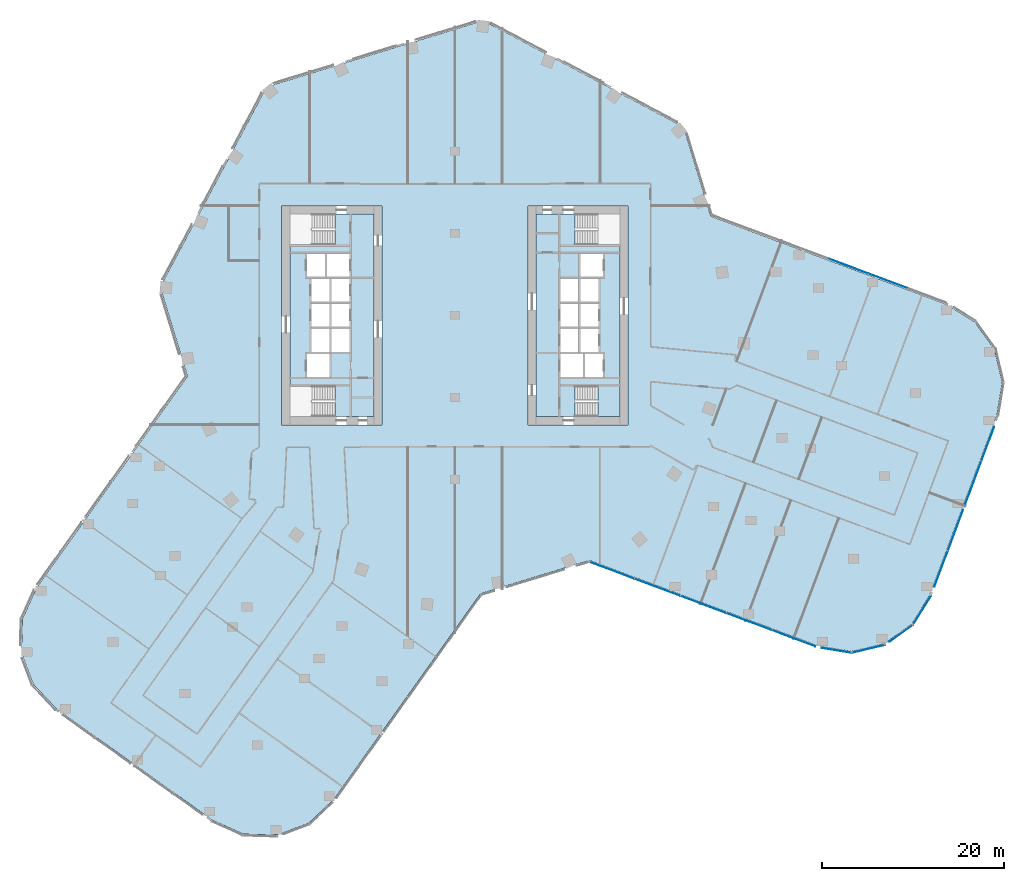
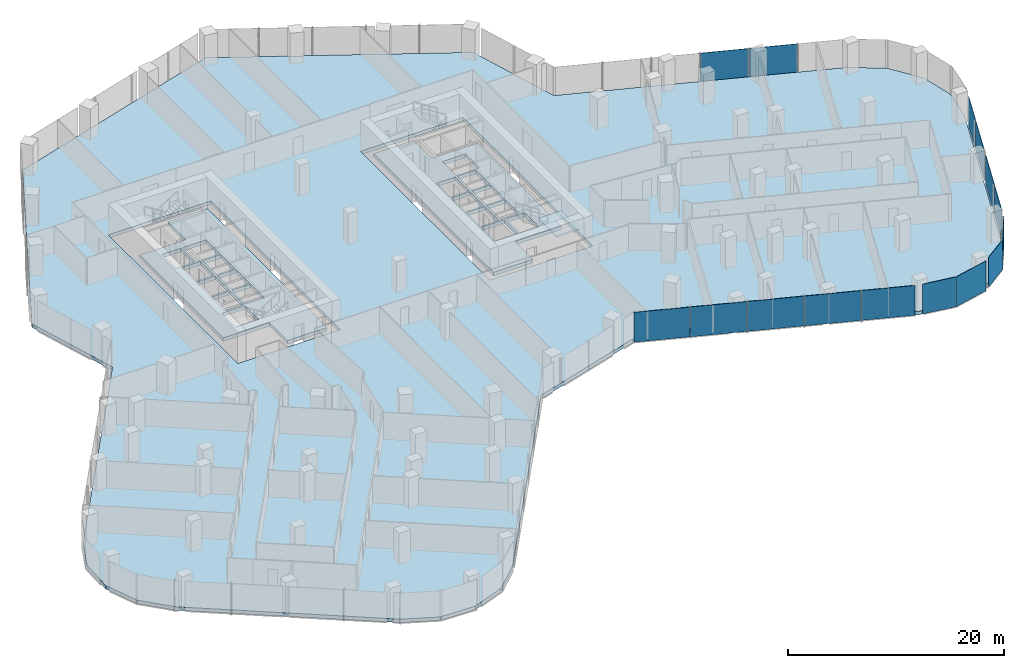
# One storey, part 19 of 31: 15 plates, 4 slabs, 8 elements without a shape of their own.
"""IFC4 building model written with IfcOpenShell, lengths in metres."""

from ifc_helpers import new_model, si_unit, direction, frame, origin, origin_2d, place, context, subcontext, project, spatial, polyline, rectangle, outline, extrude, material, layer, layer_set, type_object, element, aggregate, save


model = new_model("IFC4")

# Units and contexts
model_context = context("Model", 3, precision=1e-05, world=origin(), true_north=direction((0.0, 1.0)))
body_context = subcontext(model_context, "Body", "Model", "MODEL_VIEW")
ifc_project = project(units=[si_unit("LENGTHUNIT", "METRE"), si_unit("AREAUNIT", "SQUARE_METRE"), si_unit("VOLUMEUNIT", "CUBIC_METRE"), si_unit("PLANEANGLEUNIT", "RADIAN"), si_unit("MASSUNIT", "GRAM", prefix="KILO")], contexts=[model_context])

# Site, building, storey
site_placement = place(None, origin())
site = spatial("IfcSite", under=ifc_project, at=site_placement, CompositionType="ELEMENT")
building_placement = place(site_placement, origin())
building = spatial("IfcBuilding", under=site, at=building_placement, Name="Orlundy Tower", CompositionType="ELEMENT")
storey_placement = place(building_placement, frame((0.0, 0.0, 84.199951171875)))
storey = spatial("IfcBuildingStorey", under=building, at=storey_placement, Name="L20", CompositionType="ELEMENT", Elevation=84.199951171875)

# Curtain wall, plates
ifc_material_1 = material(Name="Aluminium bronze anodised", Category="aluminium")
curtain_wall_type = type_object("IfcCurtainWallType", Name="CW1 wall", PredefinedType="NOTDEFINED", material=ifc_material_1)
curtain_wall_1_placement = place(storey_placement, origin())
curtain_wall_1 = element("IfcCurtainWall", 1, at=curtain_wall_1_placement, inside=storey, type_object=curtain_wall_type, Name="CW1 run 06", PredefinedType="NOTDEFINED")
ifc_material_2 = material(Name="Tinted glass", Category="glass")
ifc_layer_1 = layer(ifc_material_2, 0.031982421875)
ifc_layer_set_1 = layer_set([ifc_layer_1], Name="CW1 glass panel 32")
plate_type = type_object("IfcPlateType", Name="CW1 glass panel 32", PredefinedType="CURTAIN_PANEL", material=ifc_layer_set_1)
plate_1_placement = place(storey_placement, frame((43.14990234375, 5.39404296875, -0.27978515625), z_axis=(0.0, 0.0, 1.0), x_axis=(0.93667352363, -0.350203812273, 0.0)))
plate_1 = element("IfcPlate", 2, at=plate_1_placement, type_object=plate_type, Name="CW1 panel", PredefinedType="CURTAIN_PANEL", context=body_context, shape_type="SweptSolid", body=[
    extrude(rectangle(XDim=4.538818359375, YDim=0.031982421875, at=origin_2d()), origin(), (0.0, 0.0, 1.0), 3.3798828125),
])
plate_2_placement = place(storey_placement, frame((47.4482421875, 3.787109375, -0.27978515625), z_axis=(0.0, 0.0, 1.0), x_axis=(0.93667352363, -0.350203812273, 0.0)))
plate_2 = element("IfcPlate", 3, at=plate_2_placement, type_object=plate_type, Name="CW1 panel", PredefinedType="CURTAIN_PANEL", context=body_context, shape_type="SweptSolid", body=[
    extrude(rectangle(XDim=4.538818359375, YDim=0.031982421875, at=origin_2d()), origin(), (0.0, 0.0, 1.0), 3.3798828125),
])
aggregate(curtain_wall_1, [plate_1, plate_2])

curtain_wall_2_placement = place(storey_placement, origin())
curtain_wall_2 = element("IfcCurtainWall", 4, at=curtain_wall_2_placement, inside=storey, type_object=curtain_wall_type, Name="CW1 run 011", PredefinedType="NOTDEFINED")
plate_3_placement = place(storey_placement, frame((58.4267578125, -14.09716796875, -0.27978515625), z_axis=(0.0, 0.0, 1.0), x_axis=(-0.350194360916, -0.936677057252, 0.0)))
plate_3 = element("IfcPlate", 5, at=plate_3_placement, type_object=plate_type, Name="CW1 panel", PredefinedType="CURTAIN_PANEL", context=body_context, shape_type="SweptSolid", body=[
    extrude(rectangle(XDim=3.96337890625, YDim=0.031982421875, at=origin_2d()), origin(), (0.0, 0.0, 1.0), 3.3798828125),
])
plate_4_placement = place(storey_placement, frame((56.8427734375, -18.33447265625, -0.27978515625), z_axis=(0.0, 0.0, 1.0), x_axis=(-0.350194360916, -0.936677057252, 0.0)))
plate_4 = element("IfcPlate", 6, at=plate_4_placement, type_object=plate_type, Name="CW1 panel", PredefinedType="CURTAIN_PANEL", context=body_context, shape_type="SweptSolid", body=[
    extrude(rectangle(XDim=4.98388671875, YDim=0.031982421875, at=origin_2d()), origin(), (0.0, 0.0, 1.0), 3.3798828125),
])
plate_5_placement = place(storey_placement, frame((54.889892578125, -23.557861328125, -0.27978515625), z_axis=(0.0, 0.0, 1.0), x_axis=(-0.350194360916, -0.936677057252, 0.0)))
plate_5 = element("IfcPlate", 7, at=plate_5_placement, type_object=plate_type, Name="CW1 panel", PredefinedType="CURTAIN_PANEL", context=body_context, shape_type="SweptSolid", body=[
    extrude(rectangle(XDim=4.76318359375, YDim=0.031982421875, at=origin_2d()), origin(), (0.0, 0.0, 1.0), 3.3798828125),
])
plate_6_placement = place(storey_placement, frame((53.3056640625, -27.795166015625, -0.27978515625), z_axis=(0.0, 0.0, 1.0), x_axis=(-0.350194360916, -0.936677057252, 0.0)))
plate_6 = element("IfcPlate", 8, at=plate_6_placement, type_object=plate_type, Name="CW1 panel", PredefinedType="CURTAIN_PANEL", context=body_context, shape_type="SweptSolid", body=[
    extrude(rectangle(XDim=4.184326171875, YDim=0.031982421875, at=origin_2d()), origin(), (0.0, 0.0, 1.0), 3.3798828125),
])
aggregate(curtain_wall_2, [plate_3, plate_4, plate_5, plate_6])

# Curtain wall, plate
curtain_wall_3_placement = place(storey_placement, origin())
curtain_wall_3 = element("IfcCurtainWall", 9, at=curtain_wall_3_placement, inside=storey, type_object=curtain_wall_type, Name="CW1 run 012", PredefinedType="NOTDEFINED")
plate_7_placement = place(storey_placement, frame((51.2080078125, -32.35205078125, -0.27978515625), z_axis=(0.0, 0.0, 1.0), x_axis=(-0.52630817917, -0.850293890686, 0.0)))
plate_7 = element("IfcPlate", 10, at=plate_7_placement, type_object=plate_type, Name="CW1 panel", PredefinedType="CURTAIN_PANEL", context=body_context, shape_type="SweptSolid", body=[
    extrude(rectangle(XDim=3.730712890625, YDim=0.031982421875, at=origin_2d()), origin(), (0.0, 0.0, 1.0), 3.3798828125),
])
aggregate(curtain_wall_3, [plate_7])

curtain_wall_4_placement = place(storey_placement, origin())
curtain_wall_4 = element("IfcCurtainWall", 11, at=curtain_wall_4_placement, inside=storey, type_object=curtain_wall_type, Name="CW1 run 013", PredefinedType="NOTDEFINED")
plate_8_placement = place(storey_placement, frame((48.9365234375, -34.86669921875, -0.27978515625), z_axis=(0.0, 0.0, 1.0), x_axis=(-0.811503638082, -0.584347367051, 0.0)))
plate_8 = element("IfcPlate", 12, at=plate_8_placement, type_object=plate_type, Name="CW1 panel", PredefinedType="CURTAIN_PANEL", context=body_context, shape_type="SweptSolid", body=[
    extrude(rectangle(XDim=3.178466796875, YDim=0.031982421875, at=origin_2d()), origin(), (0.0, 0.0, 1.0), 3.3798828125),
])
aggregate(curtain_wall_4, [plate_8])

curtain_wall_5_placement = place(storey_placement, origin())
curtain_wall_5 = element("IfcCurtainWall", 13, at=curtain_wall_5_placement, inside=storey, type_object=curtain_wall_type, Name="CW1 run 014", PredefinedType="NOTDEFINED")
plate_9_placement = place(storey_placement, frame((45.32958984375, -36.57470703125, -0.27978515625), z_axis=(0.0, 0.0, 1.0), x_axis=(-0.97335344577, -0.229309985845, 0.0)))
plate_9 = element("IfcPlate", 14, at=plate_9_placement, type_object=plate_type, Name="CW1 panel", PredefinedType="CURTAIN_PANEL", context=body_context, shape_type="SweptSolid", body=[
    extrude(rectangle(XDim=3.77197265625, YDim=0.031982421875, at=origin_2d()), origin(), (0.0, 0.0, 1.0), 3.3798828125),
])
aggregate(curtain_wall_5, [plate_9])

curtain_wall_6_placement = place(storey_placement, origin())
curtain_wall_6 = element("IfcCurtainWall", 15, at=curtain_wall_6_placement, inside=storey, type_object=curtain_wall_type, Name="CW1 run 015", PredefinedType="NOTDEFINED")
plate_10_placement = place(storey_placement, frame((41.84814453125, -36.739013671875, -0.27978515625), z_axis=(0.0, 0.0, 1.0), x_axis=(-0.986992343076, 0.160767268774, 0.0)))
plate_10 = element("IfcPlate", 16, at=plate_10_placement, type_object=plate_type, Name="CW1 panel", PredefinedType="CURTAIN_PANEL", context=body_context, shape_type="SweptSolid", body=[
    extrude(rectangle(XDim=3.334716796875, YDim=0.031982421875, at=origin_2d()), origin(), (0.0, 0.0, 1.0), 3.3798828125),
])
aggregate(curtain_wall_6, [plate_10])

# Curtain wall, plates
curtain_wall_7_placement = place(storey_placement, origin())
curtain_wall_7 = element("IfcCurtainWall", 17, at=curtain_wall_7_placement, inside=storey, type_object=curtain_wall_type, Name="CW1 run 016", PredefinedType="NOTDEFINED")
plate_11_placement = place(storey_placement, frame((37.13427734375, -35.41162109375, -0.27978515625), z_axis=(0.0, 0.0, 1.0), x_axis=(-0.936667840729, 0.350219011684, 0.0)))
plate_11 = element("IfcPlate", 18, at=plate_11_placement, type_object=plate_type, Name="CW1 panel", PredefinedType="CURTAIN_PANEL", context=body_context, shape_type="SweptSolid", body=[
    extrude(rectangle(XDim=5.0322265625, YDim=0.031982421875, at=origin_2d()), origin(), (0.0, 0.0, 1.0), 3.3798828125),
])
plate_12_placement = place(storey_placement, frame((32.245361328125, -33.58349609375, -0.27978515625), z_axis=(0.0, 0.0, 1.0), x_axis=(-0.936667840729, 0.350219011684, 0.0)))
plate_12 = element("IfcPlate", 19, at=plate_12_placement, type_object=plate_type, Name="CW1 panel", PredefinedType="CURTAIN_PANEL", context=body_context, shape_type="SweptSolid", body=[
    extrude(rectangle(XDim=5.306640625, YDim=0.031982421875, at=origin_2d()), origin(), (0.0, 0.0, 1.0), 3.3798828125),
])
plate_13_placement = place(storey_placement, frame((27.22802734375, -31.70751953125, -0.27978515625), z_axis=(0.0, 0.0, 1.0), x_axis=(-0.936667840729, 0.350219011684, 0.0)))
plate_13 = element("IfcPlate", 20, at=plate_13_placement, type_object=plate_type, Name="CW1 panel", PredefinedType="CURTAIN_PANEL", context=body_context, shape_type="SweptSolid", body=[
    extrude(rectangle(XDim=5.306640625, YDim=0.031982421875, at=origin_2d()), origin(), (0.0, 0.0, 1.0), 3.3798828125),
])
plate_14_placement = place(storey_placement, frame((22.210693359375, -29.83154296875, -0.27978515625), z_axis=(0.0, 0.0, 1.0), x_axis=(-0.936667840729, 0.350219011684, 0.0)))
plate_14 = element("IfcPlate", 21, at=plate_14_placement, type_object=plate_type, Name="CW1 panel", PredefinedType="CURTAIN_PANEL", context=body_context, shape_type="SweptSolid", body=[
    extrude(rectangle(XDim=5.306640625, YDim=0.031982421875, at=origin_2d()), origin(), (0.0, 0.0, 1.0), 3.3798828125),
])
plate_15_placement = place(storey_placement, frame((17.20751953125, -27.9609375, -0.27978515625), z_axis=(0.0, 0.0, 1.0), x_axis=(-0.936667840729, 0.350219011684, 0.0)))
plate_15 = element("IfcPlate", 22, at=plate_15_placement, type_object=plate_type, Name="CW1 panel", PredefinedType="CURTAIN_PANEL", context=body_context, shape_type="SweptSolid", body=[
    extrude(rectangle(XDim=5.27587890625, YDim=0.031982421875, at=origin_2d()), origin(), (0.0, 0.0, 1.0), 3.3798828125),
])
aggregate(curtain_wall_7, [plate_11, plate_12, plate_13, plate_14, plate_15])

# Slabs
ifc_material_3 = material(Name="Concrete C50/60", Category="concrete")
ifc_layer_2 = layer(ifc_material_3, 0.409912109375)
ifc_layer_set_2 = layer_set([ifc_layer_2], Name="Core Floor Slab 410")
slab_type_1 = type_object("IfcSlabType", Name="Core Floor Slab 410", PredefinedType="FLOOR", material=ifc_layer_set_2)
slab_1_placement = place(storey_placement, frame((0.0, 0.0, -0.409912109375)))
element("IfcSlab", 23, at=slab_1_placement, inside=storey, type_object=slab_type_1, Name="Core floor W17", PredefinedType="FLOOR", context=body_context, shape_type="SweptSolid", body=[
    extrude(outline(polyline([(-13.14501953125, 7.75), (-13.14501953125, 11.10009765625), (-8.89990234375, 11.10009765625), (-8.89990234375, -11.10009765625), (-13.14501953125, -11.10009765625), (-13.14501953125, -7.75), (-18.10009765625, -7.75), (-18.10009765625, 7.75), (-13.14501953125, 7.75)]), holes=[polyline([(-16.239990234375, -6.77490234375), (-13.739990234375, -6.77490234375), (-13.739990234375, -4.22509765625), (-16.239990234375, -4.22509765625), (-16.239990234375, -6.77490234375)]), polyline([(-13.5400390625, -1.47509765625), (-13.5400390625, -4.02490234375), (-11.5400390625, -4.02490234375), (-11.5400390625, -1.47509765625), (-13.5400390625, -1.47509765625)]), polyline([(-13.739990234375, -1.47509765625), (-15.739990234375, -1.47509765625), (-15.739990234375, -4.02490234375), (-13.739990234375, -4.02490234375), (-13.739990234375, -1.47509765625)]), polyline([(-11.5400390625, -1.27490234375), (-11.5400390625, 1.27490234375), (-13.5400390625, 1.27490234375), (-13.5400390625, -1.27490234375), (-11.5400390625, -1.27490234375)]), polyline([(-15.739990234375, -1.27490234375), (-13.739990234375, -1.27490234375), (-13.739990234375, 1.27490234375), (-15.739990234375, 1.27490234375), (-15.739990234375, -1.27490234375)]), polyline([(-13.5400390625, 4.02490234375), (-13.5400390625, 1.47509765625), (-11.5400390625, 1.47509765625), (-11.5400390625, 4.02490234375), (-13.5400390625, 4.02490234375)]), polyline([(-13.739990234375, 4.02490234375), (-15.739990234375, 4.02490234375), (-15.739990234375, 1.47509765625), (-13.739990234375, 1.47509765625), (-13.739990234375, 4.02490234375)]), polyline([(-11.5400390625, 4.22509765625), (-11.5400390625, 6.77490234375), (-14.0400390625, 6.77490234375), (-14.0400390625, 4.22509765625), (-11.5400390625, 4.22509765625)]), polyline([(-16.239990234375, 4.22509765625), (-14.239990234375, 4.22509765625), (-14.239990234375, 6.77490234375), (-16.239990234375, 6.77490234375), (-16.239990234375, 4.22509765625)])]), origin(), (0.0, 0.0, 1.0), 0.409912109375),
])
slab_2_placement = place(storey_placement, frame((0.0, 0.0, -0.409912109375)))
element("IfcSlab", 24, at=slab_2_placement, inside=storey, type_object=slab_type_1, Name="Core floor E17", PredefinedType="FLOOR", context=body_context, shape_type="SweptSolid", body=[
    extrude(outline(polyline([(13.14501953125, -7.75), (13.14501953125, -11.10009765625), (8.89990234375, -11.10009765625), (8.89990234375, 11.10009765625), (13.14501953125, 11.10009765625), (13.14501953125, 7.75), (18.10009765625, 7.75), (18.10009765625, -7.75), (13.14501953125, -7.75)]), holes=[polyline([(16.239990234375, 6.77490234375), (13.739990234375, 6.77490234375), (13.739990234375, 4.22509765625), (16.239990234375, 4.22509765625), (16.239990234375, 6.77490234375)]), polyline([(13.5400390625, 1.47509765625), (13.5400390625, 4.02490234375), (11.5400390625, 4.02490234375), (11.5400390625, 1.47509765625), (13.5400390625, 1.47509765625)]), polyline([(13.739990234375, 1.47509765625), (15.739990234375, 1.47509765625), (15.739990234375, 4.02490234375), (13.739990234375, 4.02490234375), (13.739990234375, 1.47509765625)]), polyline([(11.5400390625, 1.27490234375), (11.5400390625, -1.27490234375), (13.5400390625, -1.27490234375), (13.5400390625, 1.27490234375), (11.5400390625, 1.27490234375)]), polyline([(15.739990234375, 1.27490234375), (13.739990234375, 1.27490234375), (13.739990234375, -1.27490234375), (15.739990234375, -1.27490234375), (15.739990234375, 1.27490234375)]), polyline([(13.5400390625, -4.02490234375), (13.5400390625, -1.47509765625), (11.5400390625, -1.47509765625), (11.5400390625, -4.02490234375), (13.5400390625, -4.02490234375)]), polyline([(13.739990234375, -4.02490234375), (15.739990234375, -4.02490234375), (15.739990234375, -1.47509765625), (13.739990234375, -1.47509765625), (13.739990234375, -4.02490234375)]), polyline([(11.5400390625, -4.22509765625), (11.5400390625, -6.77490234375), (14.0400390625, -6.77490234375), (14.0400390625, -4.22509765625), (11.5400390625, -4.22509765625)]), polyline([(16.239990234375, -4.22509765625), (14.239990234375, -4.22509765625), (14.239990234375, -6.77490234375), (16.239990234375, -6.77490234375), (16.239990234375, -4.22509765625)])]), origin(), (0.0, 0.0, 1.0), 0.409912109375),
])

# Stair, slab
ifc_material_4 = material(Name="Concrete C50/60", Category="concrete")
stair_type = type_object("IfcStairType", Name="Exit Stair 20 risers", PredefinedType="HALF_TURN_STAIR", material=ifc_material_4)
stair_placement = place(storey_placement, origin())
stair = element("IfcStair", 25, at=stair_placement, inside=storey, type_object=stair_type, Name="L20 Exit Stair ST-E1", PredefinedType="HALF_TURN_STAIR")
ifc_material_5 = material(Name="Concrete C50/60", Category="concrete")
ifc_layer_3 = layer(ifc_material_5, 0.199951171875)
ifc_layer_set_3 = layer_set([ifc_layer_3], Name="Exit Stair Landing")
slab_type_2 = type_object("IfcSlabType", Name="Exit Stair Landing", PredefinedType="LANDING", material=ifc_layer_set_3)
slab_3_placement = place(storey_placement, frame((0.0, 0.0, 1.550048828125)))
slab_3 = element("IfcSlab", 26, at=slab_3_placement, type_object=slab_type_2, Name="ST-E1 landing 1", PredefinedType="LANDING", context=body_context, shape_type="SweptSolid", body=[
    extrude(outline(polyline([(15.659912109375, -11.10009765625), (18.10009765625, -11.10009765625), (18.10009765625, -7.75), (15.659912109375, -7.75), (15.659912109375, -11.10009765625)])), origin(), (0.0, 0.0, 1.0), 0.199951171875),
])
aggregate(stair, [slab_3])

# Slab
ifc_material_6 = material(Name="Concrete C45/55", Category="concrete")
ifc_layer_4 = layer(ifc_material_6, 0.39990234375)
ifc_layer_set_4 = layer_set([ifc_layer_4], Name="FLOOR SLAB THICK 400 C45/55")
slab_type_3 = type_object("IfcSlabType", Name="FLOOR SLAB THICK 400 C45/55", PredefinedType="FLOOR", material=ifc_layer_set_4)
slab_4_placement = place(storey_placement, frame((0.0, 0.0, -0.39990234375)))
element("IfcSlab", 27, at=slab_4_placement, inside=storey, type_object=slab_type_3, Name="Floor slab L20", PredefinedType="FLOOR", context=body_context, shape_type="SweptSolid", body=[
    extrude(outline(polyline([(-29.3291015625, -6.677001953125), (-32.322021484375, 3.112060546875), (-20.655029296875, 25.055908203125), (3.112060546875, 32.322021484375), (25.055908203125, 20.655029296875), (28.049072265625, 10.864990234375), (53.837890625, 1.222900390625), (56.989990234375, -0.72705078125), (59.155029296875, -3.736083984375), (60.0048828125, -7.343994140625), (59.408935546875, -11.001953125), (52.054931640625, -30.672119140625), (50.10400390625, -33.823974609375), (47.095947265625, -35.989990234375), (43.488037109375, -36.840087890625), (39.8291015625, -36.243896484375), (14.741943359375, -26.864013671875), (2.801025390625, -30.513916015625), (-13.333984375, -53.134033203125), (-16.032958984375, -55.674072265625), (-19.5, -56.987060546875), (-23.205078125, -56.8740234375), (-26.583984375, -55.35107421875), (-43.680908203125, -43.156982421875), (-46.220947265625, -40.45703125), (-47.533935546875, -36.989990234375), (-47.4208984375, -33.284912109375), (-45.89794921875, -29.906005859375), (-29.3291015625, -6.677001953125)]), holes=[polyline([(-8.0, -12.0), (-8.0, 12.0), (-19.0, 12.0), (-19.0, -12.0), (-8.0, -12.0)]), polyline([(19.0, -12.0), (19.0, 12.0), (8.0, 12.0), (8.0, -12.0), (19.0, -12.0)])]), origin(), (0.0, 0.0, 1.0), 0.39990234375),
])

save(model, "model.ifc")
